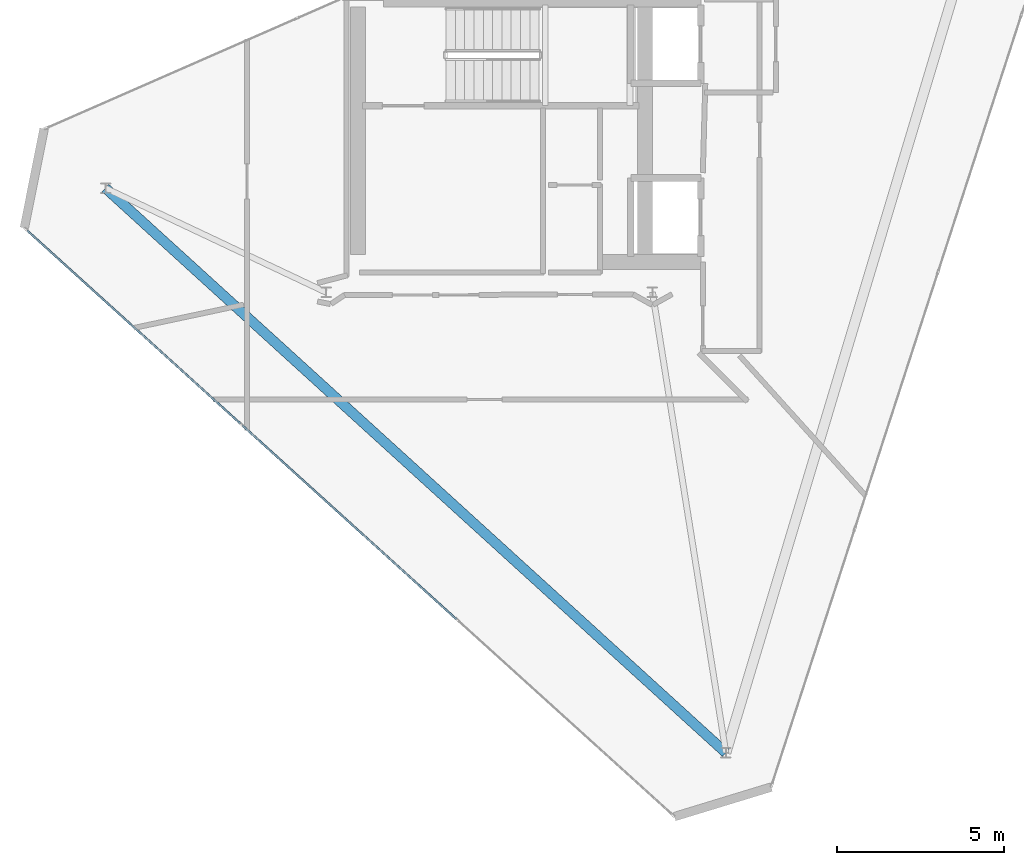
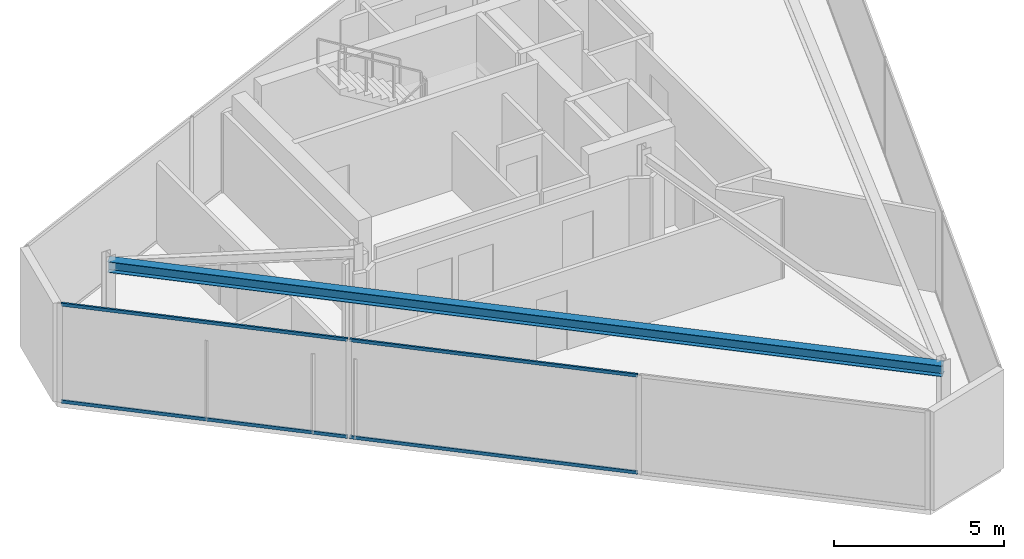
# One storey, part 4 of 16: 4 members, 1 beam, 1 element without a shape of its own.
"""IFC4 building model written with IfcOpenShell, lengths in metres."""

from ifc_helpers import new_model, si_unit, direction, frame, origin, origin_2d, place, context, subcontext, project, spatial, hollow_rectangle, i_section, extrude, material, layer, layer_set, material_profile, profile_set, type_object, element, aggregate, save


model = new_model("IFC4")

# Units and contexts
model_context = context("Model", 3, precision=1e-05, world=origin(), true_north=direction((0.0, 1.0)))
body_context = subcontext(model_context, "Body", "Model", "MODEL_VIEW")
ifc_project = project(units=[si_unit("LENGTHUNIT", "METRE"), si_unit("AREAUNIT", "SQUARE_METRE"), si_unit("VOLUMEUNIT", "CUBIC_METRE"), si_unit("PLANEANGLEUNIT", "RADIAN"), si_unit("MASSUNIT", "GRAM", prefix="KILO")], contexts=[model_context])

# Site, building, storey
site_placement = place(None, origin())
site = spatial("IfcSite", under=ifc_project, at=site_placement, CompositionType="ELEMENT")
building_placement = place(site_placement, origin())
building = spatial("IfcBuilding", under=site, at=building_placement, Name="Qianvela Tower", CompositionType="ELEMENT")
storey_placement = place(building_placement, frame((0.0, 0.0, 367.550048828125)))
storey = spatial("IfcBuildingStorey", under=building, at=storey_placement, Name="L95", CompositionType="ELEMENT", Elevation=367.550048828125)

# Beam
ifc_material_1 = material(Name="Steel Q355B", Category="steel")
ifc_material_profile_1 = material_profile(ifc_material_1, i_section(OverallWidth=0.300048828125, OverallDepth=0.389892578125, WebThickness=0.010009765625, FlangeThickness=0.01611328125, at=origin_2d()), Name="HM390x300x10x16")
ifc_profile_set_1 = profile_set([ifc_material_profile_1], Name="Steel Q355B")
beam_type = type_object("IfcBeamType", Name="BM-HM390-COLL", PredefinedType="BEAM", material=ifc_profile_set_1)
beam_placement = place(storey_placement, frame((40.60400390625, 10.027099609375, 3.35302734375), z_axis=(-0.73956574246, 0.673084327986, 0.0), x_axis=(-0.673084327986, -0.73956574246, 0.0)))
element("IfcBeam", 1, at=beam_placement, inside=storey, type_object=beam_type, Name="L95 Crown Perimeter Frame Girder 2", PredefinedType="BEAM", context=body_context, shape_type="SweptSolid", body=[
    extrude(i_section(OverallWidth=0.300048828125, OverallDepth=0.389892578125, WebThickness=0.010009765625, FlangeThickness=0.01611328125, at=origin_2d()), origin(), (0.0, 0.0, 1.0), 25.18115234375),
])

# Curtain wall, members
ifc_material_2 = material(Name="Anodised Architectural Aluminium and Low-E Glass", Category="aluminium")
ifc_layer = layer(ifc_material_2, 0.159912109375)
ifc_layer_set = layer_set([ifc_layer], Name="Anodised Architectural Aluminium and Low-E Glass")
curtain_wall_type = type_object("IfcCurtainWallType", Name="CW-CROWN", PredefinedType="USERDEFINED", material=ifc_layer_set)
curtain_wall_placement = place(storey_placement, origin())
curtain_wall = element("IfcCurtainWall", 2, at=curtain_wall_placement, inside=storey, type_object=curtain_wall_type, Name="L95 CW-CROWN Curtain Wall 04", ObjectType="CURTAIN_WALL_SYSTEM", PredefinedType="USERDEFINED")
ifc_material_3 = material(Name="Anodised Architectural Aluminium 6063-T6", Category="aluminium")
ifc_material_profile_2 = material_profile(ifc_material_3, hollow_rectangle(XDim=0.06005859375, YDim=0.114990234375, WallThickness=0.00390625, at=origin_2d()), Name="ALU-TRAN-60x115")
ifc_profile_set_2 = profile_set([ifc_material_profile_2], Name="Anodised Architectural Aluminium 6063-T6")
member_type = type_object("IfcMemberType", Name="CW-CROWN-TRAN", PredefinedType="USERDEFINED", material=ifc_profile_set_2)
member_1_placement = place(storey_placement, frame((19.627197265625, 25.705322265625, 0.030029296875), z_axis=(0.741266134063, -0.671211232394, 0.0), x_axis=(0.671211232394, 0.741266134063, 0.0)))
member_1 = element("IfcMember", 3, at=member_1_placement, type_object=member_type, Name="CW-8 transom 1.1", ObjectType="TRANSOM", PredefinedType="USERDEFINED", context=body_context, shape_type="SweptSolid", body=[
    extrude(hollow_rectangle(XDim=0.06005859375, YDim=0.114990234375, WallThickness=0.00390625, at=origin_2d()), origin(), (0.0, 0.0, 1.0), 8.646240234375),
])
member_2_placement = place(storey_placement, frame((19.627197265625, 25.705322265625, 3.52001953125), z_axis=(0.741266134063, -0.671211232394, 0.0), x_axis=(0.671211232394, 0.741266134063, 0.0)))
member_2 = element("IfcMember", 4, at=member_2_placement, type_object=member_type, Name="CW-8 transom 1.2", ObjectType="TRANSOM", PredefinedType="USERDEFINED", context=body_context, shape_type="SweptSolid", body=[
    extrude(hollow_rectangle(XDim=0.06005859375, YDim=0.114990234375, WallThickness=0.00390625, at=origin_2d()), origin(), (0.0, 0.0, 1.0), 8.646240234375),
])
member_3_placement = place(storey_placement, frame((26.084716796875, 19.858154296875, 0.030029296875), z_axis=(0.741275144845, -0.671201281014, 0.0), x_axis=(0.671201281014, 0.741275144845, 0.0)))
member_3 = element("IfcMember", 5, at=member_3_placement, type_object=member_type, Name="CW-8 transom 2.1", ObjectType="TRANSOM", PredefinedType="USERDEFINED", context=body_context, shape_type="SweptSolid", body=[
    extrude(hollow_rectangle(XDim=0.06005859375, YDim=0.114990234375, WallThickness=0.00390625, at=origin_2d()), origin(), (0.0, 0.0, 1.0), 8.6787109375),
])
member_4_placement = place(storey_placement, frame((26.084716796875, 19.858154296875, 3.52001953125), z_axis=(0.741275144845, -0.671201281014, 0.0), x_axis=(0.671201281014, 0.741275144845, 0.0)))
member_4 = element("IfcMember", 6, at=member_4_placement, type_object=member_type, Name="CW-8 transom 2.2", ObjectType="TRANSOM", PredefinedType="USERDEFINED", context=body_context, shape_type="SweptSolid", body=[
    extrude(hollow_rectangle(XDim=0.06005859375, YDim=0.114990234375, WallThickness=0.00390625, at=origin_2d()), origin(), (0.0, 0.0, 1.0), 8.6787109375),
])
aggregate(curtain_wall, [member_1, member_2, member_3, member_4])

save(model, "model.ifc")
